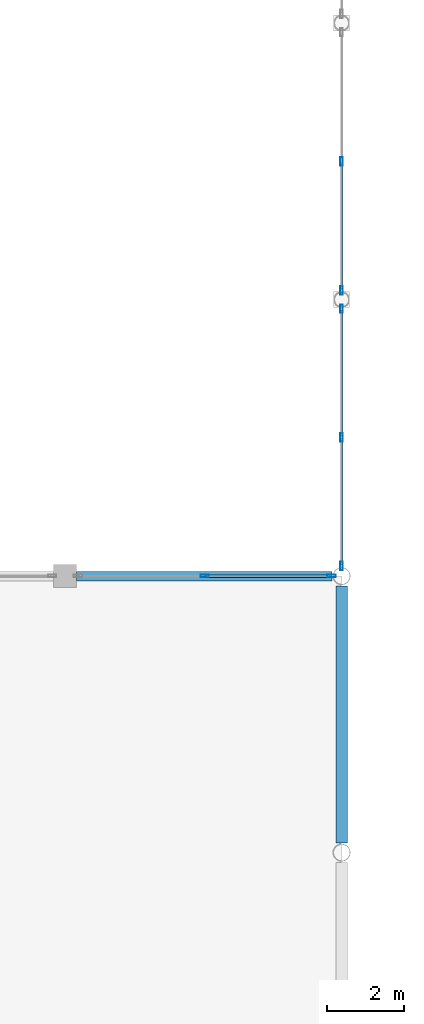
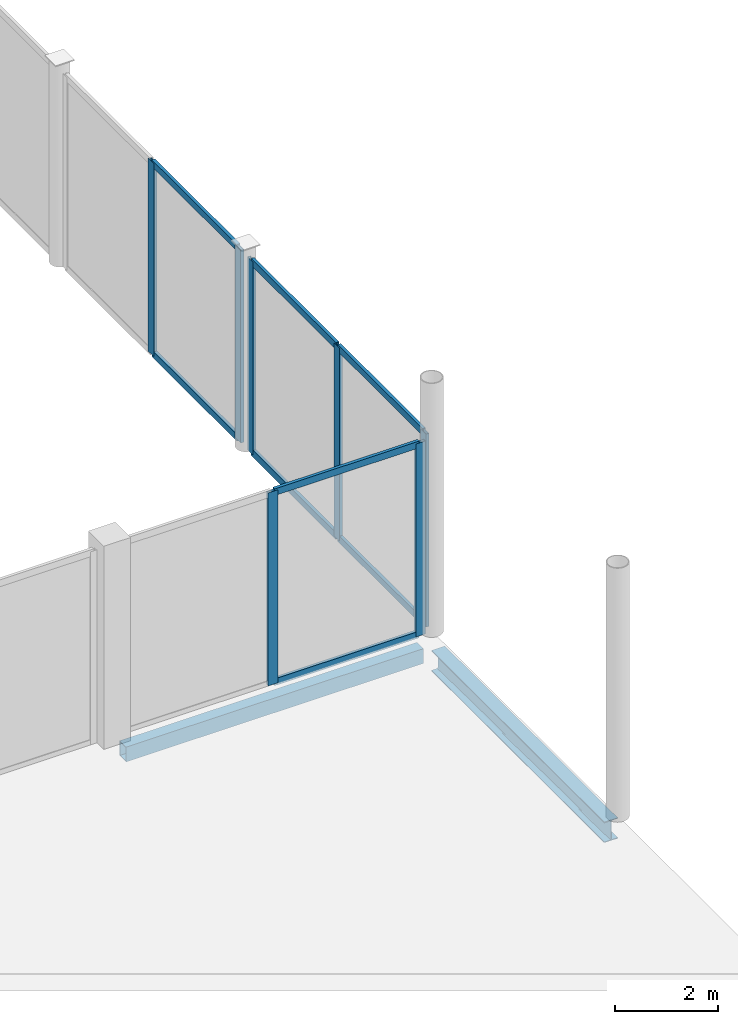
# One storey, part 60 of 120: 15 members, 2 beams, 3 elements without a shape of their own.
"""IFC4 building model written with IfcOpenShell, lengths in metres."""

from ifc_helpers import new_model, si_unit, direction, frame, origin, origin_2d, place, context, subcontext, project, spatial, hollow_rectangle, i_section, extrude, material, material_profile, profile_set, type_object, element, aggregate, save


model = new_model("IFC4")

# Units and contexts
model_context = context("Model", 3, precision=1e-05, world=origin(), true_north=direction((0.0, 1.0)))
body_context = subcontext(model_context, "Body", "Model", "MODEL_VIEW")
ifc_project = project(units=[si_unit("LENGTHUNIT", "METRE"), si_unit("AREAUNIT", "SQUARE_METRE"), si_unit("VOLUMEUNIT", "CUBIC_METRE"), si_unit("PLANEANGLEUNIT", "RADIAN"), si_unit("MASSUNIT", "GRAM", prefix="KILO")], contexts=[model_context])

# Site, building, storey
site_placement = place(None, origin())
site = spatial("IfcSite", under=ifc_project, at=site_placement, CompositionType="ELEMENT")
building_placement = place(site_placement, origin())
building = spatial("IfcBuilding", under=site, at=building_placement, Name="Vesperath Aquatics Centre", CompositionType="ELEMENT")
storey_placement = place(building_placement, frame((0.0, 0.0, 10.199951171875)))
storey = spatial("IfcBuildingStorey", under=building, at=storey_placement, Name="L02", CompositionType="ELEMENT", Elevation=10.199951171875)

# Beams
ifc_material_1 = material(Name="Steel Q355C", Category="steel")
ifc_material_profile_1 = material_profile(ifc_material_1, i_section(OverallWidth=0.300048828125, OverallDepth=0.488037109375, WebThickness=0.010986328125, FlangeThickness=0.01806640625, FilletRadius=0.02587890625, at=origin_2d()), Name="HM 488x300x11x18")
ifc_profile_set_1 = profile_set([ifc_material_profile_1], Name="Steel Q355C")
beam_type_1 = type_object("IfcBeamType", Name="BM-G10", PredefinedType="BEAM", material=ifc_profile_set_1)
beam_1_placement = place(storey_placement, frame((115.199951171875, 79.4541015625, -0.50390625), z_axis=(0.0, 1.0, 0.0), x_axis=(-1.0, 0.0, 0.0)))
element("IfcBeam", 1, at=beam_1_placement, inside=storey, type_object=beam_type_1, Name="Floor Girder B10 L02 17 M-N", PredefinedType="BEAM", context=body_context, shape_type="SweptSolid", body=[
    extrude(i_section(OverallWidth=0.300048828125, OverallDepth=0.488037109375, WebThickness=0.010986328125, FlangeThickness=0.01806640625, FilletRadius=0.02587890625, at=origin_2d()), origin(), (0.0, 0.0, 1.0), 6.69189453125),
])
ifc_material_2 = material(Name="Steel Q355D", Category="steel")
ifc_material_profile_2 = material_profile(ifc_material_2, hollow_rectangle(XDim=0.25, YDim=0.35009765625, WallThickness=0.011962890625, at=origin_2d()), Name="RHS 350x250x12")
ifc_profile_set_2 = profile_set([ifc_material_profile_2], Name="Steel Q355D")
beam_type_2 = type_object("IfcBeamType", Name="BM-SP02", PredefinedType="SPANDREL", material=ifc_profile_set_2)
beam_2_placement = place(storey_placement, frame((108.300048828125, 86.39990234375, -0.43505859375), z_axis=(1.0, 0.0, 0.0), x_axis=(0.0, 1.0, 0.0)))
element("IfcBeam", 2, at=beam_2_placement, inside=storey, type_object=beam_type_2, Name="Floor Girder SP02 L02 N 16-17", PredefinedType="SPANDREL", context=body_context, shape_type="SweptSolid", body=[
    extrude(hollow_rectangle(XDim=0.25, YDim=0.35009765625, WallThickness=0.011962890625, at=origin_2d()), origin(), (0.0, 0.0, 1.0), 6.64599609375),
])

# Curtain wall, members
ifc_material_3 = material(Name="Thermally broken anodised bronze aluminium curtain wall", Category="aluminium")
curtain_wall_type = type_object("IfcCurtainWallType", Name="CW-06", PredefinedType="NOTDEFINED", material=ifc_material_3)
curtain_wall_1_placement = place(storey_placement, origin())
curtain_wall_1 = element("IfcCurtainWall", 3, at=curtain_wall_1_placement, inside=storey, type_object=curtain_wall_type, Name="Facade Curtain Wall CW06 L02_N_15_12", PredefinedType="NOTDEFINED")
ifc_material_4 = material(Name="Thermally broken anodised aluminium", Category="aluminium")
ifc_material_profile_3 = material_profile(ifc_material_4, hollow_rectangle(XDim=0.070068359375, YDim=0.219970703125, WallThickness=0.0048828125, at=origin_2d()), Name="CWM 70x220x5")
ifc_profile_set_3 = profile_set([ifc_material_profile_3], Name="Thermally broken anodised aluminium")
member_type_1 = type_object("IfcMemberType", Name="MB-CWM2", PredefinedType="MULLION", material=ifc_profile_set_3)
member_1_placement = place(storey_placement, frame((111.6357421875, 86.39990234375, 0.0), z_axis=(0.0, 0.0, 1.0), x_axis=(0.0, 1.0, 0.0)))
member_1 = element("IfcMember", 4, at=member_1_placement, type_object=member_type_1, Name="CW06 mullion 2", PredefinedType="MULLION", context=body_context, shape_type="SweptSolid", body=[
    extrude(hollow_rectangle(XDim=0.070068359375, YDim=0.219970703125, WallThickness=0.0048828125, at=origin_2d()), origin(), (0.0, 0.0, 1.0), 4.56005859375),
])
member_2_placement = place(storey_placement, frame((114.9365234375, 86.39990234375, 0.0), z_axis=(0.0, 0.0, 1.0), x_axis=(0.0, 1.0, 0.0)))
member_2 = element("IfcMember", 5, at=member_2_placement, type_object=member_type_1, Name="CW06 mullion 3", PredefinedType="MULLION", context=body_context, shape_type="SweptSolid", body=[
    extrude(hollow_rectangle(XDim=0.070068359375, YDim=0.219970703125, WallThickness=0.0048828125, at=origin_2d()), origin(), (0.0, 0.0, 1.0), 4.56005859375),
])

curtain_wall_2_placement = place(storey_placement, origin())
curtain_wall_2 = element("IfcCurtainWall", 6, at=curtain_wall_2_placement, inside=storey, type_object=curtain_wall_type, Name="Facade Curtain Wall CW06 L02_W_16_12", PredefinedType="NOTDEFINED")
member_3_placement = place(storey_placement, frame((115.199951171875, 86.66357421875, 0.0), z_axis=(0.0, 0.0, 1.0), x_axis=(-1.0, 0.0, 0.0)))
member_3 = element("IfcMember", 7, at=member_3_placement, type_object=member_type_1, Name="CW06 mullion 1", PredefinedType="MULLION", context=body_context, shape_type="SweptSolid", body=[
    extrude(hollow_rectangle(XDim=0.070068359375, YDim=0.219970703125, WallThickness=0.0048828125, at=origin_2d()), origin(), (0.0, 0.0, 1.0), 4.56005859375),
])
member_4_placement = place(storey_placement, frame((115.199951171875, 90.0126953125, 0.0), z_axis=(0.0, 0.0, 1.0), x_axis=(-1.0, 0.0, 0.0)))
member_4 = element("IfcMember", 8, at=member_4_placement, type_object=member_type_1, Name="CW06 mullion 2", PredefinedType="MULLION", context=body_context, shape_type="SweptSolid", body=[
    extrude(hollow_rectangle(XDim=0.070068359375, YDim=0.219970703125, WallThickness=0.0048828125, at=origin_2d()), origin(), (0.0, 0.0, 1.0), 4.56005859375),
])
member_5_placement = place(storey_placement, frame((115.199951171875, 93.36181640625, 0.0), z_axis=(0.0, 0.0, 1.0), x_axis=(-1.0, 0.0, 0.0)))
member_5 = element("IfcMember", 9, at=member_5_placement, type_object=member_type_1, Name="CW06 mullion 3", PredefinedType="MULLION", context=body_context, shape_type="SweptSolid", body=[
    extrude(hollow_rectangle(XDim=0.070068359375, YDim=0.219970703125, WallThickness=0.0048828125, at=origin_2d()), origin(), (0.0, 0.0, 1.0), 4.56005859375),
])

curtain_wall_3_placement = place(storey_placement, origin())
curtain_wall_3 = element("IfcCurtainWall", 10, at=curtain_wall_3_placement, inside=storey, type_object=curtain_wall_type, Name="Facade Curtain Wall CW06 L02_W_16_13", PredefinedType="NOTDEFINED")
member_6_placement = place(storey_placement, frame((115.199951171875, 93.838134765625, 0.0), z_axis=(0.0, 0.0, 1.0), x_axis=(-1.0, 0.0, 0.0)))
member_6 = element("IfcMember", 11, at=member_6_placement, type_object=member_type_1, Name="CW06 mullion 1", PredefinedType="MULLION", context=body_context, shape_type="SweptSolid", body=[
    extrude(hollow_rectangle(XDim=0.070068359375, YDim=0.219970703125, WallThickness=0.0048828125, at=origin_2d()), origin(), (0.0, 0.0, 1.0), 4.56005859375),
])
member_7_placement = place(storey_placement, frame((115.199951171875, 97.199951171875, 0.0), z_axis=(0.0, 0.0, 1.0), x_axis=(-1.0, 0.0, 0.0)))
member_7 = element("IfcMember", 12, at=member_7_placement, type_object=member_type_1, Name="CW06 mullion 2", PredefinedType="MULLION", context=body_context, shape_type="SweptSolid", body=[
    extrude(hollow_rectangle(XDim=0.070068359375, YDim=0.219970703125, WallThickness=0.0048828125, at=origin_2d()), origin(), (0.0, 0.0, 1.0), 4.56005859375),
])

# Member
ifc_material_profile_4 = material_profile(ifc_material_4, hollow_rectangle(XDim=0.070068359375, YDim=0.159912109375, WallThickness=0.0048828125, at=origin_2d()), Name="CWT 70x160x5")
ifc_profile_set_4 = profile_set([ifc_material_profile_4], Name="Thermally broken anodised aluminium")
member_type_2 = type_object("IfcMemberType", Name="MB-CWT2", PredefinedType="USERDEFINED", material=ifc_profile_set_4)
member_8_placement = place(storey_placement, frame((111.670654296875, 86.39990234375, 0.03515625), z_axis=(1.0, 0.0, 0.0), x_axis=(0.0, 1.0, 0.0)))
member_8 = element("IfcMember", 13, at=member_8_placement, type_object=member_type_2, Name="CW06 transom 2.1", ObjectType="TRANSOM", PredefinedType="USERDEFINED", context=body_context, shape_type="SweptSolid", body=[
    extrude(hollow_rectangle(XDim=0.070068359375, YDim=0.159912109375, WallThickness=0.0048828125, at=origin_2d()), origin(), (0.0, 0.0, 1.0), 3.23095703125),
])

member_9_placement = place(storey_placement, frame((111.670654296875, 86.39990234375, 4.525146484375), z_axis=(1.0, 0.0, 0.0), x_axis=(0.0, 1.0, 0.0)))
member_9 = element("IfcMember", 14, at=member_9_placement, type_object=member_type_2, Name="CW06 transom 2.2", ObjectType="TRANSOM", PredefinedType="USERDEFINED", context=body_context, shape_type="SweptSolid", body=[
    extrude(hollow_rectangle(XDim=0.070068359375, YDim=0.159912109375, WallThickness=0.0048828125, at=origin_2d()), origin(), (0.0, 0.0, 1.0), 3.23095703125),
])

aggregate(curtain_wall_1, [member_1, member_2, member_8, member_9])

member_10_placement = place(storey_placement, frame((115.199951171875, 86.698486328125, 0.03515625), z_axis=(0.0, 1.0, 0.0), x_axis=(-1.0, 0.0, 0.0)))
member_10 = element("IfcMember", 15, at=member_10_placement, type_object=member_type_2, Name="CW06 transom 1.1", ObjectType="TRANSOM", PredefinedType="USERDEFINED", context=body_context, shape_type="SweptSolid", body=[
    extrude(hollow_rectangle(XDim=0.070068359375, YDim=0.159912109375, WallThickness=0.0048828125, at=origin_2d()), origin(), (0.0, 0.0, 1.0), 3.279052734375),
])

member_11_placement = place(storey_placement, frame((115.199951171875, 86.698486328125, 4.525146484375), z_axis=(0.0, 1.0, 0.0), x_axis=(-1.0, 0.0, 0.0)))
member_11 = element("IfcMember", 16, at=member_11_placement, type_object=member_type_2, Name="CW06 transom 1.2", ObjectType="TRANSOM", PredefinedType="USERDEFINED", context=body_context, shape_type="SweptSolid", body=[
    extrude(hollow_rectangle(XDim=0.070068359375, YDim=0.159912109375, WallThickness=0.0048828125, at=origin_2d()), origin(), (0.0, 0.0, 1.0), 3.279052734375),
])

member_12_placement = place(storey_placement, frame((115.199951171875, 90.047607421875, 0.03515625), z_axis=(0.0, 1.0, 0.0), x_axis=(-1.0, 0.0, 0.0)))
member_12 = element("IfcMember", 17, at=member_12_placement, type_object=member_type_2, Name="CW06 transom 2.1", ObjectType="TRANSOM", PredefinedType="USERDEFINED", context=body_context, shape_type="SweptSolid", body=[
    extrude(hollow_rectangle(XDim=0.070068359375, YDim=0.159912109375, WallThickness=0.0048828125, at=origin_2d()), origin(), (0.0, 0.0, 1.0), 3.279296875),
])

member_13_placement = place(storey_placement, frame((115.199951171875, 90.047607421875, 4.525146484375), z_axis=(0.0, 1.0, 0.0), x_axis=(-1.0, 0.0, 0.0)))
member_13 = element("IfcMember", 18, at=member_13_placement, type_object=member_type_2, Name="CW06 transom 2.2", ObjectType="TRANSOM", PredefinedType="USERDEFINED", context=body_context, shape_type="SweptSolid", body=[
    extrude(hollow_rectangle(XDim=0.070068359375, YDim=0.159912109375, WallThickness=0.0048828125, at=origin_2d()), origin(), (0.0, 0.0, 1.0), 3.279296875),
])

aggregate(curtain_wall_2, [member_3, member_4, member_5, member_10, member_11, member_12, member_13])

member_14_placement = place(storey_placement, frame((115.199951171875, 93.873291015625, 0.03515625), z_axis=(0.0, 1.0, 0.0), x_axis=(-1.0, 0.0, 0.0)))
member_14 = element("IfcMember", 19, at=member_14_placement, type_object=member_type_2, Name="CW06 transom 1.1", ObjectType="TRANSOM", PredefinedType="USERDEFINED", context=body_context, shape_type="SweptSolid", body=[
    extrude(hollow_rectangle(XDim=0.070068359375, YDim=0.159912109375, WallThickness=0.0048828125, at=origin_2d()), origin(), (0.0, 0.0, 1.0), 3.291748046875),
])

member_15_placement = place(storey_placement, frame((115.199951171875, 93.873291015625, 4.525146484375), z_axis=(0.0, 1.0, 0.0), x_axis=(-1.0, 0.0, 0.0)))
member_15 = element("IfcMember", 20, at=member_15_placement, type_object=member_type_2, Name="CW06 transom 1.2", ObjectType="TRANSOM", PredefinedType="USERDEFINED", context=body_context, shape_type="SweptSolid", body=[
    extrude(hollow_rectangle(XDim=0.070068359375, YDim=0.159912109375, WallThickness=0.0048828125, at=origin_2d()), origin(), (0.0, 0.0, 1.0), 3.291748046875),
])

aggregate(curtain_wall_3, [member_6, member_7, member_14, member_15])

save(model, "model.ifc")
